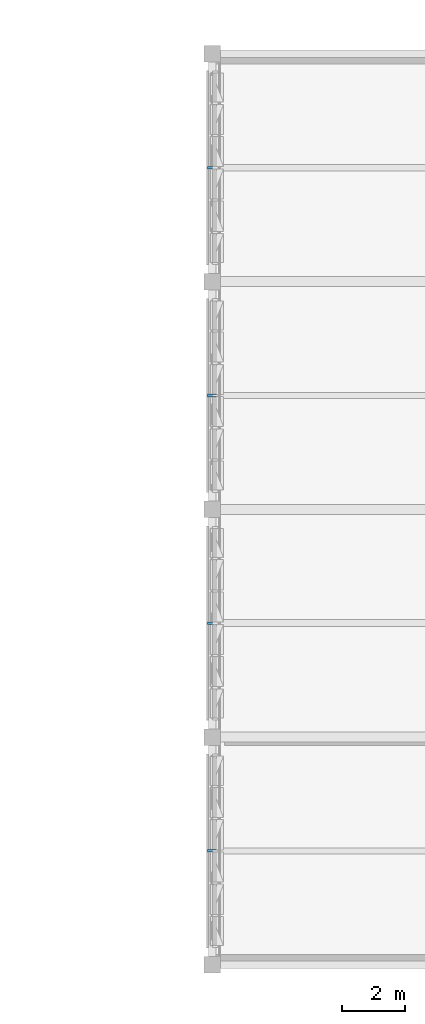
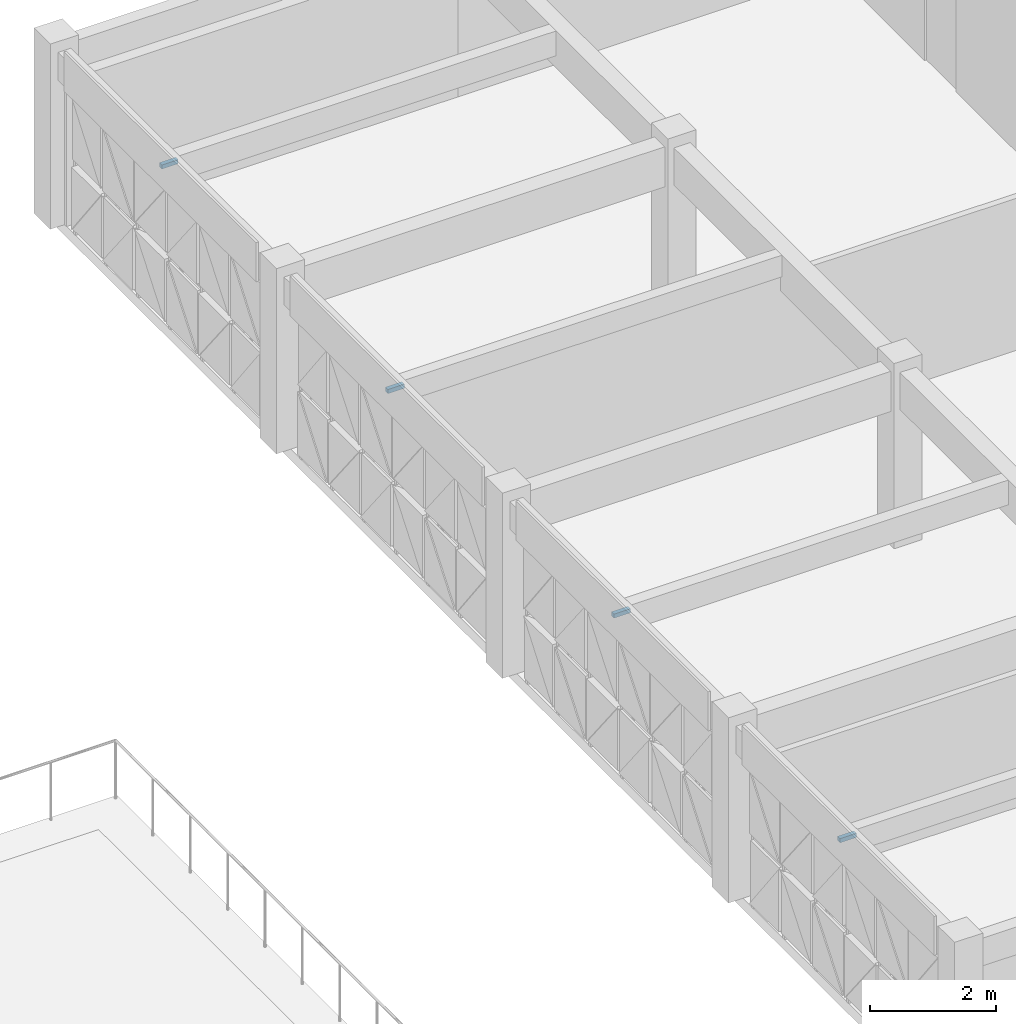
# One storey, part 73 of 99: 4 discrete accessories.
"""IFC4 building model written with IfcOpenShell, lengths in metres."""

import ifcopenshell
import ifcopenshell.guid

model = None  # the IFC model being written
_history = None  # IfcOwnerHistory: only IFC2X3 demands one
_inside = {}  # id of a spatial element -> (the spatial element, [elements in it])
_under = {}  # id of a project, library or spatial element -> (it, [spatial elements below it])
_declared = {}  # id of a project -> (the project, [libraries it declares])
_typed = {}  # id of a type object -> (the type object, [elements of that type])
_made_of = {}  # id of a material, layer set ... -> (it, [elements and type objects made of it])


def new_model(schema):
    """Start an empty IFC model of exactly this schema.

    Asked for "IFC4X3", IfcOpenShell would pick the latest addendum, in which some entities
    have other attributes; the version numbers below select the first issue.
    IFC2X3 requires an IfcOwnerHistory on every rooted entity: one is made here for all.
    """
    global model, _history
    if schema == "IFC4X3":
        model = ifcopenshell.file(schema_version=(4, 3, 0, 0))
    else:
        model = ifcopenshell.file(schema=schema)
    _inside.clear()
    _under.clear()
    _declared.clear()
    _typed.clear()
    _made_of.clear()
    _history = None
    if model.schema == "IFC2X3":
        org = make("IfcOrganization", Name="unknown")
        user = make(
            "IfcPersonAndOrganization",
            ThePerson=make("IfcPerson", FamilyName="unknown"),
            TheOrganization=org,
        )
        app = make(
            "IfcApplication",
            ApplicationDeveloper=org,
            Version="unknown",
            ApplicationFullName="unknown",
            ApplicationIdentifier="unknown",
        )
        _history = make(
            "IfcOwnerHistory",
            OwningUser=user,
            OwningApplication=app,
            ChangeAction="ADDED",
            CreationDate=0,
        )
    return model


def make(cls, **values):
    """One entity of the class cls with the attributes given. An attribute that is None is left unset."""
    return model.create_entity(
        cls, **{name: value for name, value in values.items() if value is not None}
    )


def rooted(cls, **values):
    """An entity with a GlobalId (a new one), such as an element, a storey or a relation."""
    return make(cls, GlobalId=ifcopenshell.guid.new(), OwnerHistory=_history, **values)


def si_unit(unit_type, name, prefix=None):
    """IfcSIUnit, for example si_unit("LENGTHUNIT", "METRE", prefix="MILLI")."""
    return make("IfcSIUnit", UnitType=unit_type, Prefix=prefix, Name=name)


def assignment(units):
    """IfcUnitAssignment: the units of a project."""
    return None if units is None else make("IfcUnitAssignment", Units=units)


def point(xyz):
    """IfcCartesianPoint."""
    return None if xyz is None else make("IfcCartesianPoint", Coordinates=xyz)


def direction(xyz):
    """IfcDirection."""
    return None if xyz is None else make("IfcDirection", DirectionRatios=xyz)


def frame(location, z_axis=None, x_axis=None):
    """IfcAxis2Placement3D, a coordinate frame: its origin and axes. An axis left out is left unset."""
    return make(
        "IfcAxis2Placement3D",
        Location=point(location),
        Axis=direction(z_axis),
        RefDirection=direction(x_axis),
    )


def frame_2d(location, x_axis=None):
    """IfcAxis2Placement2D, a coordinate frame in the plane: its origin and x axis."""
    return make(
        "IfcAxis2Placement2D", Location=point(location), RefDirection=direction(x_axis)
    )


def origin():
    """The frame at (0, 0, 0) with its axes left unset."""
    return frame((0.0, 0.0, 0.0))


def origin_2d():
    """The frame at (0, 0) in the plane with its x axis left unset."""
    return frame_2d((0.0, 0.0))


def place(relative_to, where):
    """IfcLocalPlacement: puts the frame where relative to a parent placement (None: the world)."""
    return make(
        "IfcLocalPlacement", PlacementRelTo=relative_to, RelativePlacement=where
    )


def context(
    kind, dimensions, precision=None, world=None, true_north=None, identifier=None
):
    """IfcGeometricRepresentationContext, for example the 3D "Model" context."""
    return make(
        "IfcGeometricRepresentationContext",
        ContextIdentifier=identifier,
        ContextType=kind,
        CoordinateSpaceDimension=dimensions,
        Precision=precision,
        WorldCoordinateSystem=world,
        TrueNorth=true_north,
    )


def subcontext(parent, identifier, kind, view, scale=None):
    """IfcGeometricRepresentationSubContext, for example "Body" below "Model"."""
    return make(
        "IfcGeometricRepresentationSubContext",
        ContextIdentifier=identifier,
        ContextType=kind,
        ParentContext=parent,
        TargetScale=scale,
        TargetView=view,
    )


def project(units=None, contexts=None):
    """IfcProject with its units and contexts."""
    return rooted(
        "IfcProject",
        Name="project",
        RepresentationContexts=contexts,
        UnitsInContext=assignment(units),
    )


def spatial(cls, under=None, at=None, **own):
    """A site, building, storey or space (cls), placed at a placement, below another one or the project."""
    s = rooted(cls, ObjectPlacement=at, **own)
    if under is not None:
        _under.setdefault(under.id(), (under, []))[1].append(s)
    return s


def profile(cls, at=None, kind="AREA", **sizes):
    """A parametric profile (cls). Its sizes go by their IFC names, for example OverallWidth=200.0."""
    return make(cls, ProfileType=kind, Position=at, **sizes)


def rectangle(**sizes):
    """IfcRectangleProfileDef."""
    return profile("IfcRectangleProfileDef", **sizes)


def extrude(swept, where, along, depth):
    """IfcExtrudedAreaSolid: the profile swept, set in the frame where, extruded along a direction by depth."""
    return make(
        "IfcExtrudedAreaSolid",
        SweptArea=swept,
        Position=where,
        ExtrudedDirection=direction(along),
        Depth=depth,
    )


def shape(context_of_items, identifier, shape_type, items):
    """IfcShapeRepresentation: the items that make up one representation, for example the "Body"."""
    return make(
        "IfcShapeRepresentation",
        ContextOfItems=context_of_items,
        RepresentationIdentifier=identifier,
        RepresentationType=shape_type,
        Items=items,
    )


def material(Name=None, Category=None):
    """IfcMaterial."""
    return make("IfcMaterial", Name=Name, Category=Category)


def made_of(thing, what):
    """Note that an element or type object is made of a material, layer set ...; save() writes the relation."""
    if what is not None:
        _made_of.setdefault(what.id(), (what, []))[1].append(thing)
    return thing


def type_object(cls, material=None, **own):
    """A type object (cls), such as IfcWallType, which elements share."""
    return made_of(rooted(cls, **own), material)


def element(
    cls,
    number,
    at=None,
    inside=None,
    cuts=None,
    type_object=None,
    material=None,
    context=None,
    identifier="Body",
    shape_type=None,
    held_by="IfcProductDefinitionShape",
    body=None,
    shapes=None,
    **own,
):
    """One element of the class cls, such as IfcWall. Its Tag is "e" and its number.

    at: its placement. inside: the storey or other place that contains it. cuts: it is an
    opening in that element (IfcRelVoidsElement). A single representation is given by context,
    identifier, shape_type and body (its items); several are given by shapes. held_by: the class
    of the entity that holds the representations. save() writes the other relations.
    """
    e = rooted(cls, Tag="e%d" % number, ObjectPlacement=at, **own)
    if body is not None:
        shapes = [shape(context, identifier, shape_type, body)]
    if shapes is not None:
        e.Representation = make(held_by, Representations=shapes)
    if inside is not None:
        _inside.setdefault(inside.id(), (inside, []))[1].append(e)
    if cuts is not None:
        rooted(
            "IfcRelVoidsElement", RelatingBuildingElement=cuts, RelatedOpeningElement=e
        )
    if type_object is not None:
        _typed.setdefault(type_object.id(), (type_object, []))[1].append(e)
    return made_of(e, material)


def aggregate(whole, parts):
    """IfcRelAggregates: a whole, such as a stair, and the parts it consists of."""
    return rooted("IfcRelAggregates", RelatingObject=whole, RelatedObjects=parts)


def save(model, path):
    """Write the relations noted so far, then the file.

    IfcRelAggregates (storeys below a building ...), IfcRelContainedInSpatialStructure (elements
    in a storey), IfcRelDefinesByType, IfcRelAssociatesMaterial and IfcRelDeclares: one each for
    every whole, place, type object, material and project.
    """
    for whole, parts in _under.values():
        aggregate(whole, parts)
    for where, things in _inside.values():
        rooted(
            "IfcRelContainedInSpatialStructure",
            RelatedElements=things,
            RelatingStructure=where,
        )
    for kind, things in _typed.values():
        rooted("IfcRelDefinesByType", RelatedObjects=things, RelatingType=kind)
    for what, things in _made_of.values():
        rooted("IfcRelAssociatesMaterial", RelatedObjects=things, RelatingMaterial=what)
    for by, libraries in _declared.values():
        rooted("IfcRelDeclares", RelatingContext=by, RelatedDefinitions=libraries)
    model.write(path)


model = new_model("IFC4")

# Units and contexts
model_context = context("Model", 3, precision=1e-05, world=origin(), true_north=direction((0.0, 1.0)))
body_context = subcontext(model_context, "Body", "Model", "MODEL_VIEW")
ifc_project = project(units=[si_unit("LENGTHUNIT", "METRE"), si_unit("AREAUNIT", "SQUARE_METRE"), si_unit("VOLUMEUNIT", "CUBIC_METRE"), si_unit("PLANEANGLEUNIT", "RADIAN"), si_unit("MASSUNIT", "GRAM", prefix="KILO")], contexts=[model_context])

# Site, building, storey
site_placement = place(None, origin())
site = spatial("IfcSite", under=ifc_project, at=site_placement, CompositionType="ELEMENT")
building_placement = place(site_placement, origin())
building = spatial("IfcBuilding", under=site, at=building_placement, Name="Alvorim Cloister Faculty of Sciences", CompositionType="ELEMENT")
storey_placement = place(building_placement, frame((0.0, 0.0, 12.14990234375)))
storey = spatial("IfcBuildingStorey", under=building, at=storey_placement, Name="L03", CompositionType="ELEMENT", Elevation=12.14990234375)

# Discrete accessories
ifc_material = material(Name="Aluminium Alloy 6063-T6", Category="aluminium")
discrete_accessory_type = type_object("IfcDiscreteAccessoryType", Name="ACC-DIAG-BAR", PredefinedType="BRACKET", material=ifc_material)
for number, where, z_axis, x_axis, name in (
    (1, (64.93994140625, 3.60009765625, 3.22509765625), (-1.0, 0.0, 0.0), (0.0, -1.0, 0.0), "Slab-Edge Fascia Tie Bracket ACC-01713"),
    (2, (64.93994140625, 10.800048828125, 3.22509765625), (-1.0, 0.0, 0.0), (0.0, -1.0, 0.0), "Slab-Edge Fascia Tie Bracket ACC-01726"),
    (3, (64.93994140625, 18.0, 3.22509765625), (-1.0, 0.0, 0.0), (0.0, -1.0, 0.0), "Slab-Edge Fascia Tie Bracket ACC-01739"),
    (4, (64.93994140625, 25.199951171875, 3.22509765625), (-1.0, 0.0, 0.0), (0.0, -1.0, 0.0), "Slab-Edge Fascia Tie Bracket ACC-01752"),
):
    element("IfcDiscreteAccessory", number, at=place(storey_placement, frame(where, z_axis=z_axis, x_axis=x_axis)), inside=storey, type_object=discrete_accessory_type, Name=name, PredefinedType="BRACKET", context=body_context, shape_type="SweptSolid", body=[
        extrude(rectangle(XDim=0.080078125, YDim=0.080078125, at=origin_2d()), origin(), (0.0, 0.0, 1.0), 0.300048828125),
    ])

save(model, "model.ifc")
